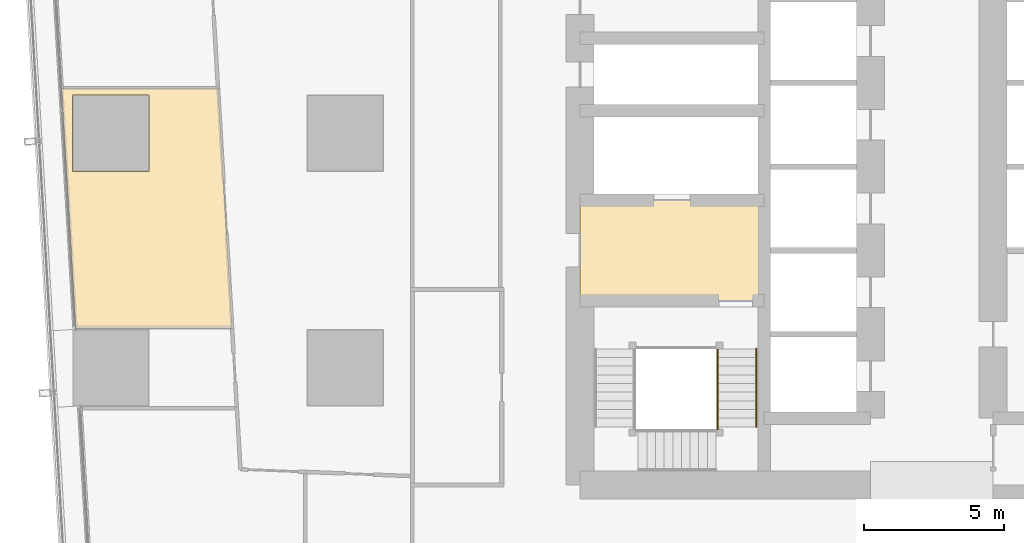
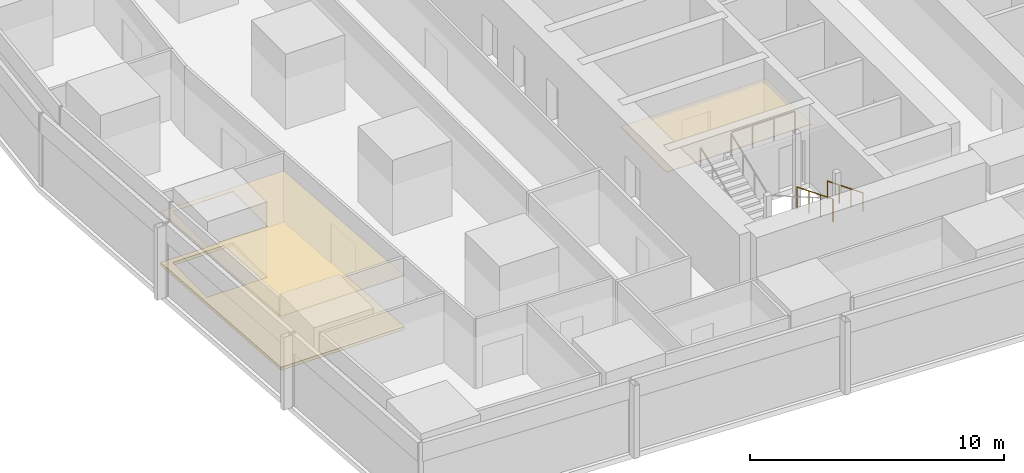
# One storey, part 29 of 36: 3 coverings, 3 railings.
"""IFC4 building model written with IfcOpenShell, lengths in metres."""

from ifc_helpers import new_model, si_unit, direction, frame, origin, origin_2d, place, context, subcontext, project, spatial, polyline, circle, outline, extrude, material, layer, layer_set, type_object, element, save


model = new_model("IFC4")

# Units and contexts
model_context = context("Model", 3, precision=1e-05, world=origin(), true_north=direction((0.0, 1.0)))
body_context = subcontext(model_context, "Body", "Model", "MODEL_VIEW")
ifc_project = project(units=[si_unit("LENGTHUNIT", "METRE"), si_unit("AREAUNIT", "SQUARE_METRE"), si_unit("VOLUMEUNIT", "CUBIC_METRE"), si_unit("PLANEANGLEUNIT", "RADIAN"), si_unit("MASSUNIT", "GRAM", prefix="KILO")], contexts=[model_context])

# Site, building, storey
site_placement = place(None, origin())
site = spatial("IfcSite", under=ifc_project, at=site_placement, CompositionType="ELEMENT")
building_placement = place(site_placement, origin())
building = spatial("IfcBuilding", under=site, at=building_placement, Name="Rekha Terrace Tower", CompositionType="ELEMENT")
storey_placement = place(building_placement, frame((0.0, 0.0, 172.699951171875)))
storey = spatial("IfcBuildingStorey", under=building, at=storey_placement, Name="L43", CompositionType="ELEMENT", Elevation=172.699951171875)

# Coverings
ifc_material_1 = material(Name="Mineral fibre tile in exposed grid", Category="finish")
ifc_layer_1 = layer(ifc_material_1, 0.02001953125)
ifc_layer_set_1 = layer_set([ifc_layer_1], Name="Mineral fibre tile in exposed grid")
covering_type_1 = type_object("IfcCoveringType", Name="CL1 600x1200 office grid ceiling", PredefinedType="CEILING", material=ifc_layer_set_1)
covering_1_placement = place(storey_placement, frame((0.0, 0.0, 2.580078125)))
element("IfcCovering", 1, at=covering_1_placement, inside=storey, type_object=covering_type_1, Name="Ceiling L43-15", PredefinedType="CEILING", context=body_context, shape_type="SweptSolid", body=[
    extrude(outline(polyline([(12.240966796875, 35.2080078125), (6.631103515625, 35.2080078125), (7.137939453125, 26.60791015625), (12.7470703125, 26.60791015625), (12.240966796875, 35.2080078125)]), holes=[polyline([(9.764892578125, 34.965087890625), (9.764892578125, 32.235107421875), (7.034912109375, 32.235107421875), (7.034912109375, 34.965087890625), (9.764892578125, 34.965087890625)])]), origin(), (0.0, 0.0, 1.0), 0.02001953125),
])
ifc_material_2 = material(Name="Powder-coated aluminium pan", Category="aluminium")
ifc_layer_2 = layer(ifc_material_2, 0.030029296875)
ifc_layer_set_2 = layer_set([ifc_layer_2], Name="Powder-coated aluminium pan")
covering_type_2 = type_object("IfcCoveringType", Name="CL3 300x1200 metal pan ceiling", PredefinedType="CEILING", material=ifc_layer_set_2)
covering_2_placement = place(storey_placement, frame((0.0, 0.0, 2.570068359375)))
element("IfcCovering", 2, at=covering_2_placement, inside=storey, type_object=covering_type_2, Name="Ceiling L43-FLB1", PredefinedType="CEILING", context=body_context, shape_type="SweptSolid", body=[
    extrude(outline(polyline([(31.800048828125, 31.199951171875), (25.199951171875, 31.199951171875), (25.199951171875, 27.60009765625), (31.800048828125, 27.60009765625), (31.800048828125, 31.199951171875)])), origin(), (0.0, 0.0, 1.0), 0.030029296875),
])

# Railings
ifc_material_3 = material(Name="Stainless steel balustrade", Category="steel")
railing_type_1 = type_object("IfcRailingType", Name="GR1 1100 stair guard", PredefinedType="GUARDRAIL", material=ifc_material_3)
railing_1_placement = place(storey_placement, frame((30.135009765625, 25.875, 0.125)))
element("IfcRailing", 3, at=railing_1_placement, inside=storey, type_object=railing_type_1, Name="Guard ST1 L43 flight 1", PredefinedType="GUARDRAIL", context=body_context, shape_type="SweptSolid", body=[
    extrude(circle(Radius=0.02392578125, at=origin_2d()), frame((0.0, 0.0, 1.076171875), z_axis=(0.0, -0.927443287984, 0.373963831907), x_axis=(1.0, 0.0, 0.0)), (0.0, 0.0, 1.0), 3.00830078125),
    extrude(circle(Radius=0.02099609375, at=origin_2d()), origin(), (0.0, 0.0, 1.0), 1.052001953125),
    extrude(circle(Radius=0.02099609375, at=origin_2d()), frame((0.0, -0.929931640625, 0.375)), (0.0, 0.0, 1.0), 1.052001953125),
    extrude(circle(Radius=0.02099609375, at=origin_2d()), frame((0.0, -1.860107421875, 0.75)), (0.0, 0.0, 1.0), 1.052001953125),
    extrude(circle(Radius=0.02099609375, at=origin_2d()), frame((0.0, -2.7900390625, 1.125)), (0.0, 0.0, 1.0), 1.052001953125),
])
railing_2_placement = place(storey_placement, frame((30.135009765625, 23.0849609375, 1.25)))
element("IfcRailing", 4, at=railing_2_placement, inside=storey, type_object=railing_type_1, Name="Guard ST1 L43 landing 1", PredefinedType="GUARDRAIL", context=body_context, shape_type="SweptSolid", body=[
    extrude(circle(Radius=0.02392578125, at=origin_2d()), frame((0.0, 0.0, 1.076171875), z_axis=(0.0, -1.0, 0.0), x_axis=(1.0, 0.0, 0.0)), (0.0, 0.0, 1.0), 0.0849609375),
    extrude(circle(Radius=0.02099609375, at=origin_2d()), origin(), (0.0, 0.0, 1.0), 1.052001953125),
    extrude(circle(Radius=0.02099609375, at=origin_2d()), frame((0.0, -0.0849609375, 0.0)), (0.0, 0.0, 1.0), 1.052001953125),
])
ifc_material_4 = material(Name="Stainless steel tube", Category="steel")
railing_type_2 = type_object("IfcRailingType", Name="HR1 900 stair handrail", PredefinedType="HANDRAIL", material=ifc_material_4)
railing_3_placement = place(storey_placement, frame((31.514892578125, 25.875, 0.125)))
element("IfcRailing", 5, at=railing_3_placement, inside=storey, type_object=railing_type_2, Name="Handrail ST1 L43 flight 1", PredefinedType="HANDRAIL", context=body_context, shape_type="SweptSolid", body=[
    extrude(circle(Radius=0.02392578125, at=origin_2d()), frame((0.0, 0.0, 0.8759765625), z_axis=(0.0, -0.927443287984, 0.373963831907), x_axis=(1.0, 0.0, 0.0)), (0.0, 0.0, 1.0), 3.00830078125),
    extrude(circle(Radius=0.02099609375, at=origin_2d()), origin(), (0.0, 0.0, 1.0), 0.851806640625),
    extrude(circle(Radius=0.02099609375, at=origin_2d()), frame((0.0, -0.929931640625, 0.375)), (0.0, 0.0, 1.0), 0.851806640625),
    extrude(circle(Radius=0.02099609375, at=origin_2d()), frame((0.0, -1.860107421875, 0.75)), (0.0, 0.0, 1.0), 0.851806640625),
    extrude(circle(Radius=0.02099609375, at=origin_2d()), frame((0.0, -2.7900390625, 1.125)), (0.0, 0.0, 1.0), 0.851806640625),
])

# Covering
ifc_material_5 = material(Name="Calcium sulphate panels on steel pedestals", Category="steel")
ifc_layer_3 = layer(ifc_material_5, 0.14990234375)
ifc_layer_set_3 = layer_set([ifc_layer_3], Name="Calcium sulphate panels on steel pedestals")
covering_type_3 = type_object("IfcCoveringType", Name="RF1 150 raised access floor", PredefinedType="FLOORING", material=ifc_layer_set_3)
covering_3_placement = place(storey_placement, origin())
element("IfcCovering", 6, at=covering_3_placement, inside=storey, type_object=covering_type_3, Name="Raised floor L43-15", PredefinedType="FLOORING", context=body_context, shape_type="SweptSolid", body=[
    extrude(outline(polyline([(12.240966796875, 35.2080078125), (6.631103515625, 35.2080078125), (7.137939453125, 26.60791015625), (12.7470703125, 26.60791015625), (12.240966796875, 35.2080078125)]), holes=[polyline([(9.764892578125, 34.965087890625), (9.764892578125, 32.235107421875), (7.034912109375, 32.235107421875), (7.034912109375, 34.965087890625), (9.764892578125, 34.965087890625)])]), origin(), (0.0, 0.0, 1.0), 0.150146484375),
])

save(model, "model.ifc")
